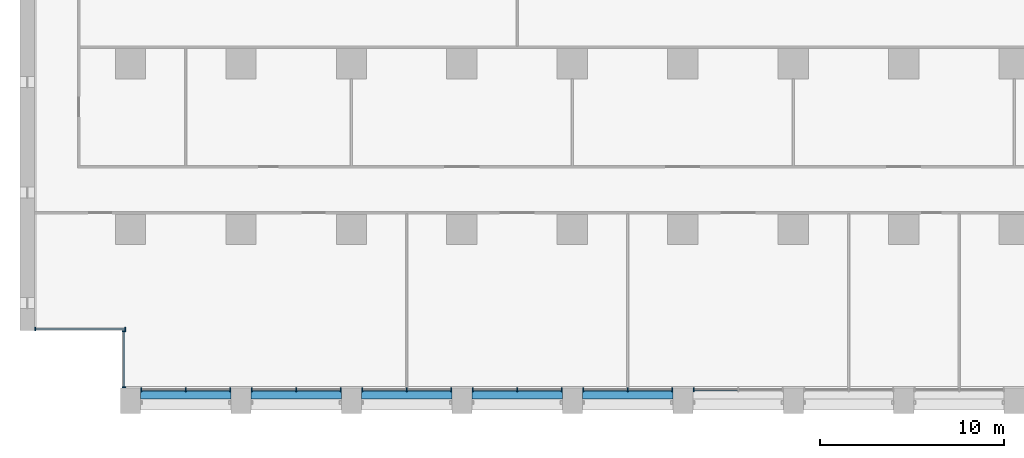
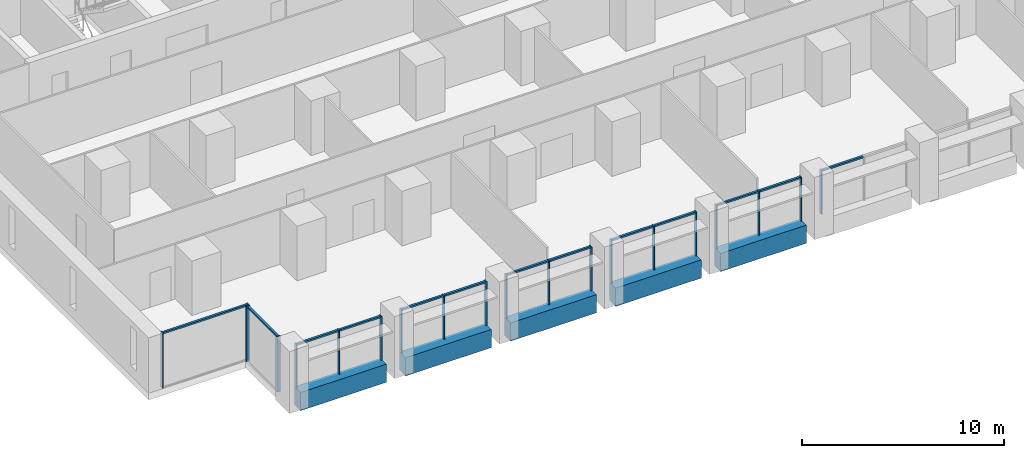
# One storey, part 2 of 18: 33 members, 5 beams, 8 elements without a shape of their own.
"""IFC4 building model written with IfcOpenShell, lengths in metres."""

from ifc_helpers import new_model, si_unit, direction, frame, origin, origin_2d, place, context, subcontext, project, spatial, rectangle, extrude, material, material_profile, profile_set, type_object, element, aggregate, save


model = new_model("IFC4")

# Units and contexts
model_context = context("Model", 3, precision=1e-05, world=origin(), true_north=direction((0.0, 1.0)))
body_context = subcontext(model_context, "Body", "Model", "MODEL_VIEW")
ifc_project = project(units=[si_unit("LENGTHUNIT", "METRE"), si_unit("AREAUNIT", "SQUARE_METRE"), si_unit("VOLUMEUNIT", "CUBIC_METRE"), si_unit("PLANEANGLEUNIT", "RADIAN"), si_unit("MASSUNIT", "GRAM", prefix="KILO")], contexts=[model_context])

# Site, building, storey
site_placement = place(None, origin())
site = spatial("IfcSite", under=ifc_project, at=site_placement, CompositionType="ELEMENT")
building_placement = place(site_placement, origin())
building = spatial("IfcBuilding", under=site, at=building_placement, Name="Calvaro Tower", CompositionType="ELEMENT")
storey_placement = place(building_placement, frame((0.0, 0.0, 60.0)))
storey = spatial("IfcBuildingStorey", under=building, at=storey_placement, Name="L14", CompositionType="ELEMENT", Elevation=60.0)

# Curtain wall, members
ifc_material_1 = material(Name="Anodised aluminium", Category="aluminium")
curtain_wall_type = type_object("IfcCurtainWallType", Name="Office curtain wall, lower zone", PredefinedType="NOTDEFINED", material=ifc_material_1)
curtain_wall_1_placement = place(storey_placement, origin())
curtain_wall_1 = element("IfcCurtainWall", 1, at=curtain_wall_1_placement, inside=storey, type_object=curtain_wall_type, Name="CW1 south curtain wall", PredefinedType="NOTDEFINED")
ifc_material_2 = material(Name="Anodised aluminium", Category="aluminium")
ifc_material_profile_1 = material_profile(ifc_material_2, rectangle(XDim=0.199951171875, YDim=0.06005859375, at=origin_2d()), Name="Mullion S1 60 x 200")
ifc_profile_set_1 = profile_set([ifc_material_profile_1], Name="Anodised aluminium")
member_type_1 = type_object("IfcMemberType", Name="Mullion S1 60 x 200", PredefinedType="MULLION", material=ifc_profile_set_1)
member_1_placement = place(storey_placement, frame((6.580078125, 1.300048828125, 0.0), z_axis=(0.0, 0.0, 1.0), x_axis=(0.0, 1.0, 0.0)))
member_1 = element("IfcMember", 2, at=member_1_placement, type_object=member_type_1, Name="CW1 mullion 1", PredefinedType="MULLION", context=body_context, shape_type="SweptSolid", body=[
    extrude(rectangle(XDim=0.199951171875, YDim=0.06005859375, at=origin_2d()), origin(), (0.0, 0.0, 1.0), 2.64990234375),
])
member_2_placement = place(storey_placement, frame((9.0, 1.300048828125, 0.0), z_axis=(0.0, 0.0, 1.0), x_axis=(0.0, 1.0, 0.0)))
member_2 = element("IfcMember", 3, at=member_2_placement, type_object=member_type_1, Name="CW1 mullion 2", PredefinedType="MULLION", context=body_context, shape_type="SweptSolid", body=[
    extrude(rectangle(XDim=0.199951171875, YDim=0.06005859375, at=origin_2d()), origin(), (0.0, 0.0, 1.0), 2.64990234375),
])
member_3_placement = place(storey_placement, frame((11.419921875, 1.300048828125, 0.0), z_axis=(0.0, 0.0, 1.0), x_axis=(0.0, 1.0, 0.0)))
member_3 = element("IfcMember", 4, at=member_3_placement, type_object=member_type_1, Name="CW1 mullion 3", PredefinedType="MULLION", context=body_context, shape_type="SweptSolid", body=[
    extrude(rectangle(XDim=0.199951171875, YDim=0.06005859375, at=origin_2d()), origin(), (0.0, 0.0, 1.0), 2.64990234375),
])

curtain_wall_2_placement = place(storey_placement, origin())
curtain_wall_2 = element("IfcCurtainWall", 5, at=curtain_wall_2_placement, inside=storey, type_object=curtain_wall_type, Name="CW1 south curtain wall", PredefinedType="NOTDEFINED")
member_4_placement = place(storey_placement, frame((12.580078125, 1.300048828125, 0.0), z_axis=(0.0, 0.0, 1.0), x_axis=(0.0, 1.0, 0.0)))
member_4 = element("IfcMember", 6, at=member_4_placement, type_object=member_type_1, Name="CW1 mullion 1", PredefinedType="MULLION", context=body_context, shape_type="SweptSolid", body=[
    extrude(rectangle(XDim=0.199951171875, YDim=0.06005859375, at=origin_2d()), origin(), (0.0, 0.0, 1.0), 2.64990234375),
])
member_5_placement = place(storey_placement, frame((15.0, 1.300048828125, 0.0), z_axis=(0.0, 0.0, 1.0), x_axis=(0.0, 1.0, 0.0)))
member_5 = element("IfcMember", 7, at=member_5_placement, type_object=member_type_1, Name="CW1 mullion 2", PredefinedType="MULLION", context=body_context, shape_type="SweptSolid", body=[
    extrude(rectangle(XDim=0.199951171875, YDim=0.06005859375, at=origin_2d()), origin(), (0.0, 0.0, 1.0), 2.64990234375),
])
member_6_placement = place(storey_placement, frame((17.419921875, 1.300048828125, 0.0), z_axis=(0.0, 0.0, 1.0), x_axis=(0.0, 1.0, 0.0)))
member_6 = element("IfcMember", 8, at=member_6_placement, type_object=member_type_1, Name="CW1 mullion 3", PredefinedType="MULLION", context=body_context, shape_type="SweptSolid", body=[
    extrude(rectangle(XDim=0.199951171875, YDim=0.06005859375, at=origin_2d()), origin(), (0.0, 0.0, 1.0), 2.64990234375),
])

curtain_wall_3_placement = place(storey_placement, origin())
curtain_wall_3 = element("IfcCurtainWall", 9, at=curtain_wall_3_placement, inside=storey, type_object=curtain_wall_type, Name="CW1 south curtain wall", PredefinedType="NOTDEFINED")
member_7_placement = place(storey_placement, frame((18.580078125, 1.300048828125, 0.0), z_axis=(0.0, 0.0, 1.0), x_axis=(0.0, 1.0, 0.0)))
member_7 = element("IfcMember", 10, at=member_7_placement, type_object=member_type_1, Name="CW1 mullion 1", PredefinedType="MULLION", context=body_context, shape_type="SweptSolid", body=[
    extrude(rectangle(XDim=0.199951171875, YDim=0.06005859375, at=origin_2d()), origin(), (0.0, 0.0, 1.0), 2.64990234375),
])
member_8_placement = place(storey_placement, frame((21.0, 1.300048828125, 0.0), z_axis=(0.0, 0.0, 1.0), x_axis=(0.0, 1.0, 0.0)))
member_8 = element("IfcMember", 11, at=member_8_placement, type_object=member_type_1, Name="CW1 mullion 2", PredefinedType="MULLION", context=body_context, shape_type="SweptSolid", body=[
    extrude(rectangle(XDim=0.199951171875, YDim=0.06005859375, at=origin_2d()), origin(), (0.0, 0.0, 1.0), 2.64990234375),
])
member_9_placement = place(storey_placement, frame((23.419921875, 1.300048828125, 0.0), z_axis=(0.0, 0.0, 1.0), x_axis=(0.0, 1.0, 0.0)))
member_9 = element("IfcMember", 12, at=member_9_placement, type_object=member_type_1, Name="CW1 mullion 3", PredefinedType="MULLION", context=body_context, shape_type="SweptSolid", body=[
    extrude(rectangle(XDim=0.199951171875, YDim=0.06005859375, at=origin_2d()), origin(), (0.0, 0.0, 1.0), 2.64990234375),
])

curtain_wall_4_placement = place(storey_placement, origin())
curtain_wall_4 = element("IfcCurtainWall", 13, at=curtain_wall_4_placement, inside=storey, type_object=curtain_wall_type, Name="CW1 south curtain wall", PredefinedType="NOTDEFINED")
member_10_placement = place(storey_placement, frame((24.580078125, 1.300048828125, 0.0), z_axis=(0.0, 0.0, 1.0), x_axis=(0.0, 1.0, 0.0)))
member_10 = element("IfcMember", 14, at=member_10_placement, type_object=member_type_1, Name="CW1 mullion 1", PredefinedType="MULLION", context=body_context, shape_type="SweptSolid", body=[
    extrude(rectangle(XDim=0.199951171875, YDim=0.06005859375, at=origin_2d()), origin(), (0.0, 0.0, 1.0), 2.64990234375),
])
member_11_placement = place(storey_placement, frame((27.0, 1.300048828125, 0.0), z_axis=(0.0, 0.0, 1.0), x_axis=(0.0, 1.0, 0.0)))
member_11 = element("IfcMember", 15, at=member_11_placement, type_object=member_type_1, Name="CW1 mullion 2", PredefinedType="MULLION", context=body_context, shape_type="SweptSolid", body=[
    extrude(rectangle(XDim=0.199951171875, YDim=0.06005859375, at=origin_2d()), origin(), (0.0, 0.0, 1.0), 2.64990234375),
])
member_12_placement = place(storey_placement, frame((29.419921875, 1.300048828125, 0.0), z_axis=(0.0, 0.0, 1.0), x_axis=(0.0, 1.0, 0.0)))
member_12 = element("IfcMember", 16, at=member_12_placement, type_object=member_type_1, Name="CW1 mullion 3", PredefinedType="MULLION", context=body_context, shape_type="SweptSolid", body=[
    extrude(rectangle(XDim=0.199951171875, YDim=0.06005859375, at=origin_2d()), origin(), (0.0, 0.0, 1.0), 2.64990234375),
])

curtain_wall_5_placement = place(storey_placement, origin())
curtain_wall_5 = element("IfcCurtainWall", 17, at=curtain_wall_5_placement, inside=storey, type_object=curtain_wall_type, Name="CW1 south curtain wall", PredefinedType="NOTDEFINED")
member_13_placement = place(storey_placement, frame((30.580078125, 1.300048828125, 0.0), z_axis=(0.0, 0.0, 1.0), x_axis=(0.0, 1.0, 0.0)))
member_13 = element("IfcMember", 18, at=member_13_placement, type_object=member_type_1, Name="CW1 mullion 1", PredefinedType="MULLION", context=body_context, shape_type="SweptSolid", body=[
    extrude(rectangle(XDim=0.199951171875, YDim=0.06005859375, at=origin_2d()), origin(), (0.0, 0.0, 1.0), 2.64990234375),
])
member_14_placement = place(storey_placement, frame((33.0, 1.300048828125, 0.0), z_axis=(0.0, 0.0, 1.0), x_axis=(0.0, 1.0, 0.0)))
member_14 = element("IfcMember", 19, at=member_14_placement, type_object=member_type_1, Name="CW1 mullion 2", PredefinedType="MULLION", context=body_context, shape_type="SweptSolid", body=[
    extrude(rectangle(XDim=0.199951171875, YDim=0.06005859375, at=origin_2d()), origin(), (0.0, 0.0, 1.0), 2.64990234375),
])
member_15_placement = place(storey_placement, frame((35.419921875, 1.300048828125, 0.0), z_axis=(0.0, 0.0, 1.0), x_axis=(0.0, 1.0, 0.0)))
member_15 = element("IfcMember", 20, at=member_15_placement, type_object=member_type_1, Name="CW1 mullion 3", PredefinedType="MULLION", context=body_context, shape_type="SweptSolid", body=[
    extrude(rectangle(XDim=0.199951171875, YDim=0.06005859375, at=origin_2d()), origin(), (0.0, 0.0, 1.0), 2.64990234375),
])

# Curtain wall, member
curtain_wall_6_placement = place(storey_placement, origin())
curtain_wall_6 = element("IfcCurtainWall", 21, at=curtain_wall_6_placement, inside=storey, type_object=curtain_wall_type, Name="CW1 south curtain wall", PredefinedType="NOTDEFINED")
member_16_placement = place(storey_placement, frame((36.580078125, 1.300048828125, 0.0), z_axis=(0.0, 0.0, 1.0), x_axis=(0.0, 1.0, 0.0)))
member_16 = element("IfcMember", 22, at=member_16_placement, type_object=member_type_1, Name="CW1 mullion 1", PredefinedType="MULLION", context=body_context, shape_type="SweptSolid", body=[
    extrude(rectangle(XDim=0.199951171875, YDim=0.06005859375, at=origin_2d()), origin(), (0.0, 0.0, 1.0), 2.64990234375),
])

# Curtain wall, members
curtain_wall_7_placement = place(storey_placement, origin())
curtain_wall_7 = element("IfcCurtainWall", 23, at=curtain_wall_7_placement, inside=storey, type_object=curtain_wall_type, Name="CW1 corner curtain wall", PredefinedType="NOTDEFINED")
member_17_placement = place(storey_placement, frame((5.64990234375, 1.429931640625, 0.0), z_axis=(0.0, 0.0, 1.0), x_axis=(-1.0, 0.0, 0.0)))
member_17 = element("IfcMember", 24, at=member_17_placement, type_object=member_type_1, Name="CW1 mullion 1", PredefinedType="MULLION", context=body_context, shape_type="SweptSolid", body=[
    extrude(rectangle(XDim=0.199951171875, YDim=0.06005859375, at=origin_2d()), origin(), (0.0, 0.0, 1.0), 3.35009765625),
])
member_18_placement = place(storey_placement, frame((5.64990234375, 4.469970703125, 0.0), z_axis=(0.0, 0.0, 1.0), x_axis=(-1.0, 0.0, 0.0)))
member_18 = element("IfcMember", 25, at=member_18_placement, type_object=member_type_1, Name="CW1 mullion 2", PredefinedType="MULLION", context=body_context, shape_type="SweptSolid", body=[
    extrude(rectangle(XDim=0.199951171875, YDim=0.06005859375, at=origin_2d()), origin(), (0.0, 0.0, 1.0), 3.35009765625),
])

curtain_wall_8_placement = place(storey_placement, origin())
curtain_wall_8 = element("IfcCurtainWall", 26, at=curtain_wall_8_placement, inside=storey, type_object=curtain_wall_type, Name="CW1 corner curtain wall", PredefinedType="NOTDEFINED")
member_19_placement = place(storey_placement, frame((0.830078125, 4.60009765625, 0.0), z_axis=(0.0, 0.0, 1.0), x_axis=(0.0, 1.0, 0.0)))
member_19 = element("IfcMember", 27, at=member_19_placement, type_object=member_type_1, Name="CW1 mullion 1", PredefinedType="MULLION", context=body_context, shape_type="SweptSolid", body=[
    extrude(rectangle(XDim=0.199951171875, YDim=0.06005859375, at=origin_2d()), origin(), (0.0, 0.0, 1.0), 3.35009765625),
])
member_20_placement = place(storey_placement, frame((5.719970703125, 4.60009765625, 0.0), z_axis=(0.0, 0.0, 1.0), x_axis=(0.0, 1.0, 0.0)))
member_20 = element("IfcMember", 28, at=member_20_placement, type_object=member_type_1, Name="CW1 mullion 2", PredefinedType="MULLION", context=body_context, shape_type="SweptSolid", body=[
    extrude(rectangle(XDim=0.199951171875, YDim=0.06005859375, at=origin_2d()), origin(), (0.0, 0.0, 1.0), 3.35009765625),
])

# Beams
ifc_material_3 = material(Name="Concrete C50/60 precast", Category="concrete")
ifc_material_profile_2 = material_profile(ifc_material_3, rectangle(XDim=0.60009765625, YDim=1.10009765625, at=origin_2d()), Name="RC 600x1100")
ifc_profile_set_2 = profile_set([ifc_material_profile_2], Name="Concrete C50/60 precast")
beam_type = type_object("IfcBeamType", Name="Spandrel beam 600x1100 C50/60", PredefinedType="SPANDREL", material=ifc_profile_set_2)
for number, where, z_axis, x_axis, name in (
    (29, (6.550048828125, 1.10009765625, -0.550048828125), (1.0, 0.0, 0.0), (0.0, 1.0, 0.0), "Spandrel beam"),
    (30, (12.550048828125, 1.10009765625, -0.550048828125), (1.0, 0.0, 0.0), (0.0, 1.0, 0.0), "Spandrel beam"),
    (31, (18.550048828125, 1.10009765625, -0.550048828125), (1.0, 0.0, 0.0), (0.0, 1.0, 0.0), "Spandrel beam"),
    (32, (24.550048828125, 1.10009765625, -0.550048828125), (1.0, 0.0, 0.0), (0.0, 1.0, 0.0), "Spandrel beam"),
    (33, (30.550048828125, 1.10009765625, -0.550048828125), (1.0, 0.0, 0.0), (0.0, 1.0, 0.0), "Spandrel beam"),
):
    element("IfcBeam", number, at=place(storey_placement, frame(where, z_axis=z_axis, x_axis=x_axis)), inside=storey, type_object=beam_type, Name=name, PredefinedType="SPANDREL", context=body_context, shape_type="SweptSolid", body=[
        extrude(rectangle(XDim=0.60009765625, YDim=1.10009765625, at=origin_2d()), origin(), (0.0, 0.0, 1.0), 4.89990234375),
    ])

# Member
ifc_material_4 = material(Name="Anodised aluminium", Category="aluminium")
ifc_material_profile_3 = material_profile(ifc_material_4, rectangle(XDim=0.1201171875, YDim=0.10009765625, at=origin_2d()), Name="Transom S1 100 x 120")
ifc_profile_set_3 = profile_set([ifc_material_profile_3], Name="Anodised aluminium")
member_type_2 = type_object("IfcMemberType", Name="Transom S1 100 x 120", PredefinedType="USERDEFINED", material=ifc_profile_set_3)
member_21_placement = place(storey_placement, frame((6.610107421875, 1.300048828125, 2.60009765625), z_axis=(1.0, 0.0, 0.0), x_axis=(0.0, 1.0, 0.0)))
member_21 = element("IfcMember", 34, at=member_21_placement, type_object=member_type_2, Name="CW1 transom 1.1", ObjectType="TRANSOM", PredefinedType="USERDEFINED", context=body_context, shape_type="SweptSolid", body=[
    extrude(rectangle(XDim=0.1201171875, YDim=0.10009765625, at=origin_2d()), origin(), (0.0, 0.0, 1.0), 2.35986328125),
])

member_22_placement = place(storey_placement, frame((9.030029296875, 1.300048828125, 2.60009765625), z_axis=(1.0, 0.0, 0.0), x_axis=(0.0, 1.0, 0.0)))
member_22 = element("IfcMember", 35, at=member_22_placement, type_object=member_type_2, Name="CW1 transom 2.1", ObjectType="TRANSOM", PredefinedType="USERDEFINED", context=body_context, shape_type="SweptSolid", body=[
    extrude(rectangle(XDim=0.1201171875, YDim=0.10009765625, at=origin_2d()), origin(), (0.0, 0.0, 1.0), 2.35986328125),
])

aggregate(curtain_wall_1, [member_1, member_2, member_3, member_21, member_22])

member_23_placement = place(storey_placement, frame((12.610107421875, 1.300048828125, 2.60009765625), z_axis=(1.0, 0.0, 0.0), x_axis=(0.0, 1.0, 0.0)))
member_23 = element("IfcMember", 36, at=member_23_placement, type_object=member_type_2, Name="CW1 transom 1.1", ObjectType="TRANSOM", PredefinedType="USERDEFINED", context=body_context, shape_type="SweptSolid", body=[
    extrude(rectangle(XDim=0.1201171875, YDim=0.10009765625, at=origin_2d()), origin(), (0.0, 0.0, 1.0), 2.35986328125),
])

member_24_placement = place(storey_placement, frame((15.030029296875, 1.300048828125, 2.60009765625), z_axis=(1.0, 0.0, 0.0), x_axis=(0.0, 1.0, 0.0)))
member_24 = element("IfcMember", 37, at=member_24_placement, type_object=member_type_2, Name="CW1 transom 2.1", ObjectType="TRANSOM", PredefinedType="USERDEFINED", context=body_context, shape_type="SweptSolid", body=[
    extrude(rectangle(XDim=0.1201171875, YDim=0.10009765625, at=origin_2d()), origin(), (0.0, 0.0, 1.0), 2.35986328125),
])

aggregate(curtain_wall_2, [member_4, member_5, member_6, member_23, member_24])

member_25_placement = place(storey_placement, frame((18.610107421875, 1.300048828125, 2.60009765625), z_axis=(1.0, 0.0, 0.0), x_axis=(0.0, 1.0, 0.0)))
member_25 = element("IfcMember", 38, at=member_25_placement, type_object=member_type_2, Name="CW1 transom 1.1", ObjectType="TRANSOM", PredefinedType="USERDEFINED", context=body_context, shape_type="SweptSolid", body=[
    extrude(rectangle(XDim=0.1201171875, YDim=0.10009765625, at=origin_2d()), origin(), (0.0, 0.0, 1.0), 2.35986328125),
])

member_26_placement = place(storey_placement, frame((21.030029296875, 1.300048828125, 2.60009765625), z_axis=(1.0, 0.0, 0.0), x_axis=(0.0, 1.0, 0.0)))
member_26 = element("IfcMember", 39, at=member_26_placement, type_object=member_type_2, Name="CW1 transom 2.1", ObjectType="TRANSOM", PredefinedType="USERDEFINED", context=body_context, shape_type="SweptSolid", body=[
    extrude(rectangle(XDim=0.1201171875, YDim=0.10009765625, at=origin_2d()), origin(), (0.0, 0.0, 1.0), 2.35986328125),
])

aggregate(curtain_wall_3, [member_7, member_8, member_9, member_25, member_26])

member_27_placement = place(storey_placement, frame((24.610107421875, 1.300048828125, 2.60009765625), z_axis=(1.0, 0.0, 0.0), x_axis=(0.0, 1.0, 0.0)))
member_27 = element("IfcMember", 40, at=member_27_placement, type_object=member_type_2, Name="CW1 transom 1.1", ObjectType="TRANSOM", PredefinedType="USERDEFINED", context=body_context, shape_type="SweptSolid", body=[
    extrude(rectangle(XDim=0.1201171875, YDim=0.10009765625, at=origin_2d()), origin(), (0.0, 0.0, 1.0), 2.35986328125),
])

member_28_placement = place(storey_placement, frame((27.030029296875, 1.300048828125, 2.60009765625), z_axis=(1.0, 0.0, 0.0), x_axis=(0.0, 1.0, 0.0)))
member_28 = element("IfcMember", 41, at=member_28_placement, type_object=member_type_2, Name="CW1 transom 2.1", ObjectType="TRANSOM", PredefinedType="USERDEFINED", context=body_context, shape_type="SweptSolid", body=[
    extrude(rectangle(XDim=0.1201171875, YDim=0.10009765625, at=origin_2d()), origin(), (0.0, 0.0, 1.0), 2.35986328125),
])

aggregate(curtain_wall_4, [member_10, member_11, member_12, member_27, member_28])

member_29_placement = place(storey_placement, frame((30.610107421875, 1.300048828125, 2.60009765625), z_axis=(1.0, 0.0, 0.0), x_axis=(0.0, 1.0, 0.0)))
member_29 = element("IfcMember", 42, at=member_29_placement, type_object=member_type_2, Name="CW1 transom 1.1", ObjectType="TRANSOM", PredefinedType="USERDEFINED", context=body_context, shape_type="SweptSolid", body=[
    extrude(rectangle(XDim=0.1201171875, YDim=0.10009765625, at=origin_2d()), origin(), (0.0, 0.0, 1.0), 2.35986328125),
])

member_30_placement = place(storey_placement, frame((33.030029296875, 1.300048828125, 2.60009765625), z_axis=(1.0, 0.0, 0.0), x_axis=(0.0, 1.0, 0.0)))
member_30 = element("IfcMember", 43, at=member_30_placement, type_object=member_type_2, Name="CW1 transom 2.1", ObjectType="TRANSOM", PredefinedType="USERDEFINED", context=body_context, shape_type="SweptSolid", body=[
    extrude(rectangle(XDim=0.1201171875, YDim=0.10009765625, at=origin_2d()), origin(), (0.0, 0.0, 1.0), 2.35986328125),
])

aggregate(curtain_wall_5, [member_13, member_14, member_15, member_29, member_30])

member_31_placement = place(storey_placement, frame((36.610107421875, 1.300048828125, 2.60009765625), z_axis=(1.0, 0.0, 0.0), x_axis=(0.0, 1.0, 0.0)))
member_31 = element("IfcMember", 44, at=member_31_placement, type_object=member_type_2, Name="CW1 transom 1.1", ObjectType="TRANSOM", PredefinedType="USERDEFINED", context=body_context, shape_type="SweptSolid", body=[
    extrude(rectangle(XDim=0.1201171875, YDim=0.10009765625, at=origin_2d()), origin(), (0.0, 0.0, 1.0), 2.35986328125),
])

aggregate(curtain_wall_6, [member_16, member_31])

member_32_placement = place(storey_placement, frame((5.64990234375, 1.4599609375, 3.300048828125), z_axis=(0.0, 1.0, 0.0), x_axis=(-1.0, 0.0, 0.0)))
member_32 = element("IfcMember", 45, at=member_32_placement, type_object=member_type_2, Name="CW1 transom 1.1", ObjectType="TRANSOM", PredefinedType="USERDEFINED", context=body_context, shape_type="SweptSolid", body=[
    extrude(rectangle(XDim=0.1201171875, YDim=0.10009765625, at=origin_2d()), origin(), (0.0, 0.0, 1.0), 2.97998046875),
])

aggregate(curtain_wall_7, [member_17, member_18, member_32])

member_33_placement = place(storey_placement, frame((0.860107421875, 4.60009765625, 3.300048828125), z_axis=(1.0, 0.0, 0.0), x_axis=(0.0, 1.0, 0.0)))
member_33 = element("IfcMember", 46, at=member_33_placement, type_object=member_type_2, Name="CW1 transom 1.1", ObjectType="TRANSOM", PredefinedType="USERDEFINED", context=body_context, shape_type="SweptSolid", body=[
    extrude(rectangle(XDim=0.1201171875, YDim=0.10009765625, at=origin_2d()), origin(), (0.0, 0.0, 1.0), 4.829833984375),
])

aggregate(curtain_wall_8, [member_19, member_20, member_33])

save(model, "model.ifc")
